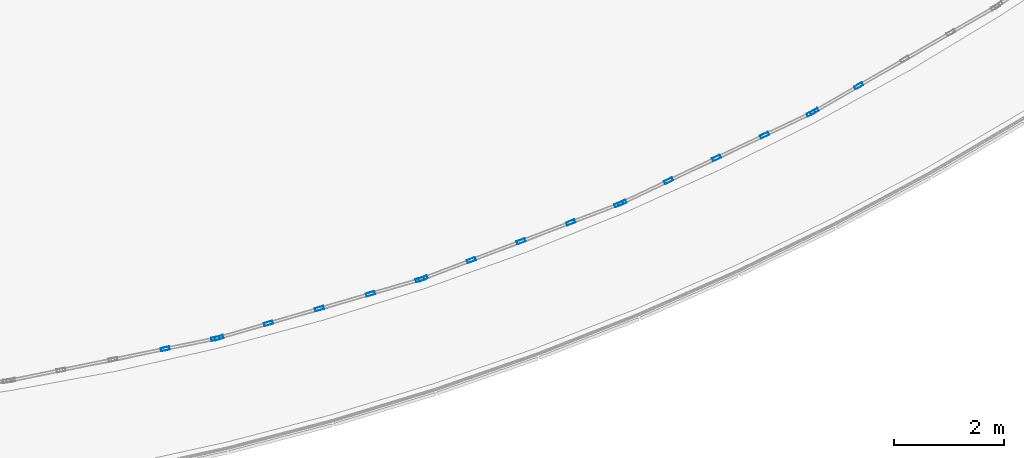
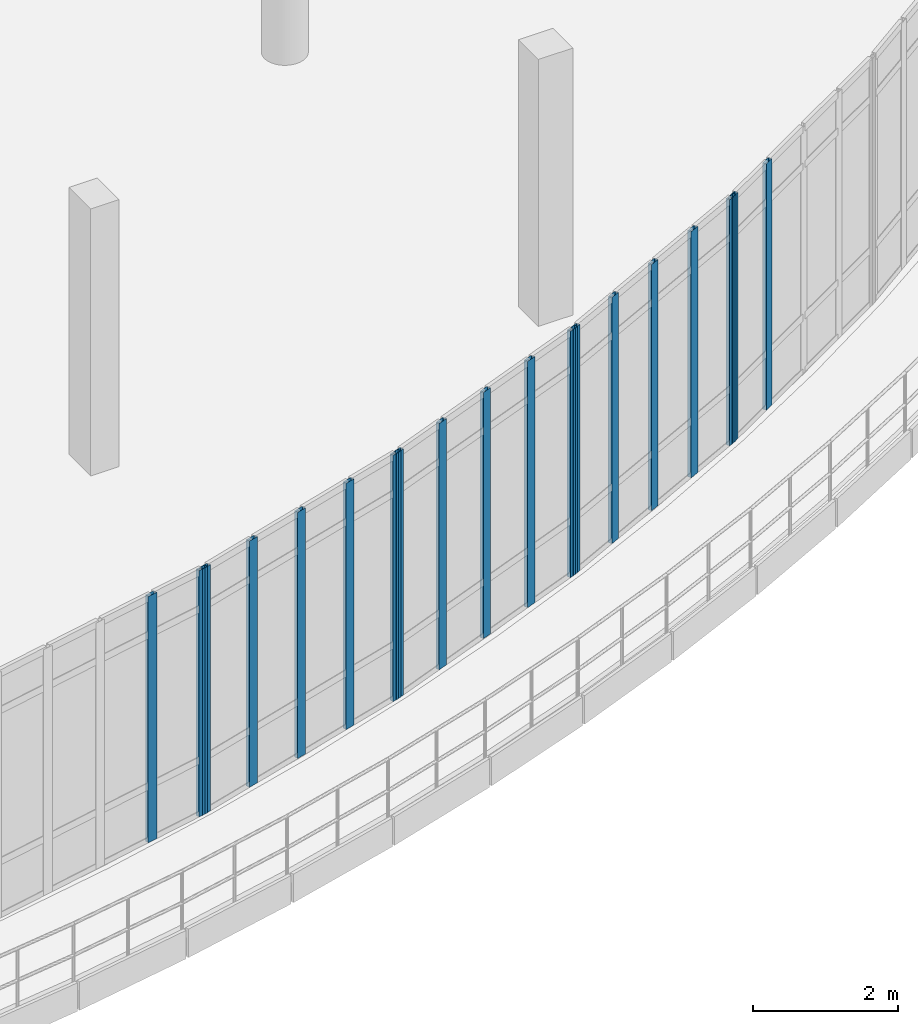
# One storey, part 35 of 124: 19 members, 5 elements without a shape of their own.
"""IFC4 building model written with IfcOpenShell, lengths in metres."""

from ifc_helpers import new_model, si_unit, direction, frame, origin, origin_2d, place, context, subcontext, project, spatial, hollow_rectangle, extrude, material, material_profile, profile_set, type_object, element, aggregate, save


model = new_model("IFC4")

# Units and contexts
model_context = context("Model", 3, precision=1e-05, world=origin(), true_north=direction((0.0, 1.0)))
body_context = subcontext(model_context, "Body", "Model", "MODEL_VIEW")
ifc_project = project(units=[si_unit("LENGTHUNIT", "METRE"), si_unit("AREAUNIT", "SQUARE_METRE"), si_unit("VOLUMEUNIT", "CUBIC_METRE"), si_unit("PLANEANGLEUNIT", "RADIAN"), si_unit("MASSUNIT", "GRAM", prefix="KILO")], contexts=[model_context])

# Site, building, storey
site_placement = place(None, origin())
site = spatial("IfcSite", under=ifc_project, at=site_placement, CompositionType="ELEMENT")
building_placement = place(site_placement, origin())
building = spatial("IfcBuilding", under=site, at=building_placement, Name="Kalluvel Institute of Natural Sciences", CompositionType="ELEMENT")
storey_placement = place(building_placement, frame((0.0, 0.0, 9.89990234375)))
storey = spatial("IfcBuildingStorey", under=building, at=storey_placement, Name="L02", CompositionType="ELEMENT", Elevation=9.89990234375)

# Curtain wall, members
ifc_material = material(Name="Aluminium AW-6063 T6", Category="aluminium")
curtain_wall_type = type_object("IfcCurtainWallType", Name="CW-ATR-ARC", PredefinedType="USERDEFINED", material=ifc_material)
curtain_wall_1_placement = place(storey_placement, origin())
curtain_wall_1 = element("IfcCurtainWall", 1, at=curtain_wall_1_placement, inside=storey, type_object=curtain_wall_type, Name="L02 Gothic lancet curtain wall CWA-L02-X433-Y555", ObjectType="UNITISED LANCET FACADE", PredefinedType="USERDEFINED")
ifc_material_profile = material_profile(ifc_material, hollow_rectangle(XDim=0.06005859375, YDim=0.159912109375, WallThickness=0.00390625, at=origin_2d()), Name="CWM 60x160")
ifc_profile_set = profile_set([ifc_material_profile], Name="Aluminium AW-6063 T6")
member_type = type_object("IfcMemberType", Name="CWM-60x160", PredefinedType="MULLION", material=ifc_profile_set)
member_1_placement = place(storey_placement, frame((46.118408203125, 56.09912109375, 0.0), z_axis=(0.0, 0.0, 1.0), x_axis=(-0.200028070576, 0.979790166812, 0.0)))
member_1 = element("IfcMember", 2, at=member_1_placement, type_object=member_type, Name="CW-05 mullion 4", PredefinedType="MULLION", context=body_context, shape_type="SweptSolid", body=[
    extrude(hollow_rectangle(XDim=0.06005859375, YDim=0.159912109375, WallThickness=0.00390625, at=origin_2d()), origin(), (0.0, 0.0, 1.0), 4.150146484375),
])
member_2_placement = place(storey_placement, frame((47.03369140625, 56.285888671875, 0.0), z_axis=(0.0, 0.0, 1.0), x_axis=(-0.200028070576, 0.979790166812, 0.0)))
member_2 = element("IfcMember", 3, at=member_2_placement, type_object=member_type, Name="CW-05 mullion 5", PredefinedType="MULLION", context=body_context, shape_type="SweptSolid", body=[
    extrude(hollow_rectangle(XDim=0.06005859375, YDim=0.159912109375, WallThickness=0.00390625, at=origin_2d()), origin(), (0.0, 0.0, 1.0), 4.150146484375),
])
aggregate(curtain_wall_1, [member_1, member_2])

curtain_wall_2_placement = place(storey_placement, origin())
curtain_wall_2 = element("IfcCurtainWall", 4, at=curtain_wall_2_placement, inside=storey, type_object=curtain_wall_type, Name="L02 Gothic lancet curtain wall CWA-L02-X471-Y563", ObjectType="UNITISED LANCET FACADE", PredefinedType="USERDEFINED")
member_3_placement = place(storey_placement, frame((47.092041015625, 56.30029296875, 0.0), z_axis=(0.0, 0.0, 1.0), x_axis=(-0.278211659728, 0.960519792816, 0.0)))
member_3 = element("IfcMember", 5, at=member_3_placement, type_object=member_type, Name="CW-05 mullion 1", PredefinedType="MULLION", context=body_context, shape_type="SweptSolid", body=[
    extrude(hollow_rectangle(XDim=0.06005859375, YDim=0.159912109375, WallThickness=0.00390625, at=origin_2d()), origin(), (0.0, 0.0, 1.0), 4.150146484375),
])
member_4_placement = place(storey_placement, frame((47.989501953125, 56.560302734375, 0.0), z_axis=(0.0, 0.0, 1.0), x_axis=(-0.278211659728, 0.960519792816, 0.0)))
member_4 = element("IfcMember", 6, at=member_4_placement, type_object=member_type, Name="CW-05 mullion 2", PredefinedType="MULLION", context=body_context, shape_type="SweptSolid", body=[
    extrude(hollow_rectangle(XDim=0.06005859375, YDim=0.159912109375, WallThickness=0.00390625, at=origin_2d()), origin(), (0.0, 0.0, 1.0), 4.150146484375),
])
member_5_placement = place(storey_placement, frame((48.915771484375, 56.82861328125, 0.0), z_axis=(0.0, 0.0, 1.0), x_axis=(-0.278211659728, 0.960519792816, 0.0)))
member_5 = element("IfcMember", 7, at=member_5_placement, type_object=member_type, Name="CW-05 mullion 3", PredefinedType="MULLION", context=body_context, shape_type="SweptSolid", body=[
    extrude(hollow_rectangle(XDim=0.06005859375, YDim=0.159912109375, WallThickness=0.00390625, at=origin_2d()), origin(), (0.0, 0.0, 1.0), 4.150146484375),
])
member_6_placement = place(storey_placement, frame((49.842041015625, 57.0966796875, 0.0), z_axis=(0.0, 0.0, 1.0), x_axis=(-0.278211659728, 0.960519792816, 0.0)))
member_6 = element("IfcMember", 8, at=member_6_placement, type_object=member_type, Name="CW-05 mullion 4", PredefinedType="MULLION", context=body_context, shape_type="SweptSolid", body=[
    extrude(hollow_rectangle(XDim=0.06005859375, YDim=0.159912109375, WallThickness=0.00390625, at=origin_2d()), origin(), (0.0, 0.0, 1.0), 4.150146484375),
])
member_7_placement = place(storey_placement, frame((50.739501953125, 57.356689453125, 0.0), z_axis=(0.0, 0.0, 1.0), x_axis=(-0.278211659728, 0.960519792816, 0.0)))
member_7 = element("IfcMember", 9, at=member_7_placement, type_object=member_type, Name="CW-05 mullion 5", PredefinedType="MULLION", context=body_context, shape_type="SweptSolid", body=[
    extrude(hollow_rectangle(XDim=0.06005859375, YDim=0.159912109375, WallThickness=0.00390625, at=origin_2d()), origin(), (0.0, 0.0, 1.0), 4.150146484375),
])
aggregate(curtain_wall_2, [member_3, member_4, member_5, member_6, member_7])

curtain_wall_3_placement = place(storey_placement, origin())
curtain_wall_3 = element("IfcCurtainWall", 10, at=curtain_wall_3_placement, inside=storey, type_object=curtain_wall_type, Name="L02 Gothic lancet curtain wall CWA-L02-X508-Y574", ObjectType="UNITISED LANCET FACADE", PredefinedType="USERDEFINED")
member_8_placement = place(storey_placement, frame((50.79638671875, 57.375732421875, 0.0), z_axis=(0.0, 0.0, 1.0), x_axis=(-0.354609689227, 0.935014421443, 0.0)))
member_8 = element("IfcMember", 11, at=member_8_placement, type_object=member_type, Name="CW-05 mullion 1", PredefinedType="MULLION", context=body_context, shape_type="SweptSolid", body=[
    extrude(hollow_rectangle(XDim=0.06005859375, YDim=0.159912109375, WallThickness=0.00390625, at=origin_2d()), origin(), (0.0, 0.0, 1.0), 4.150146484375),
])
member_9_placement = place(storey_placement, frame((51.670166015625, 57.70703125, 0.0), z_axis=(0.0, 0.0, 1.0), x_axis=(-0.354609689227, 0.935014421443, 0.0)))
member_9 = element("IfcMember", 12, at=member_9_placement, type_object=member_type, Name="CW-05 mullion 2", PredefinedType="MULLION", context=body_context, shape_type="SweptSolid", body=[
    extrude(hollow_rectangle(XDim=0.06005859375, YDim=0.159912109375, WallThickness=0.00390625, at=origin_2d()), origin(), (0.0, 0.0, 1.0), 4.150146484375),
])
member_10_placement = place(storey_placement, frame((52.57177734375, 58.049072265625, 0.0), z_axis=(0.0, 0.0, 1.0), x_axis=(-0.354609689227, 0.935014421443, 0.0)))
member_10 = element("IfcMember", 13, at=member_10_placement, type_object=member_type, Name="CW-05 mullion 3", PredefinedType="MULLION", context=body_context, shape_type="SweptSolid", body=[
    extrude(hollow_rectangle(XDim=0.06005859375, YDim=0.159912109375, WallThickness=0.00390625, at=origin_2d()), origin(), (0.0, 0.0, 1.0), 4.150146484375),
])
member_11_placement = place(storey_placement, frame((53.473388671875, 58.39111328125, 0.0), z_axis=(0.0, 0.0, 1.0), x_axis=(-0.354609689227, 0.935014421443, 0.0)))
member_11 = element("IfcMember", 14, at=member_11_placement, type_object=member_type, Name="CW-05 mullion 4", PredefinedType="MULLION", context=body_context, shape_type="SweptSolid", body=[
    extrude(hollow_rectangle(XDim=0.06005859375, YDim=0.159912109375, WallThickness=0.00390625, at=origin_2d()), origin(), (0.0, 0.0, 1.0), 4.150146484375),
])
member_12_placement = place(storey_placement, frame((54.34716796875, 58.722412109375, 0.0), z_axis=(0.0, 0.0, 1.0), x_axis=(-0.354609689227, 0.935014421443, 0.0)))
member_12 = element("IfcMember", 15, at=member_12_placement, type_object=member_type, Name="CW-05 mullion 5", PredefinedType="MULLION", context=body_context, shape_type="SweptSolid", body=[
    extrude(hollow_rectangle(XDim=0.06005859375, YDim=0.159912109375, WallThickness=0.00390625, at=origin_2d()), origin(), (0.0, 0.0, 1.0), 4.150146484375),
])
aggregate(curtain_wall_3, [member_8, member_9, member_10, member_11, member_12])

curtain_wall_4_placement = place(storey_placement, origin())
curtain_wall_4 = element("IfcCurtainWall", 16, at=curtain_wall_4_placement, inside=storey, type_object=curtain_wall_type, Name="L02 Gothic lancet curtain wall CWA-L02-X544-Y587", ObjectType="UNITISED LANCET FACADE", PredefinedType="USERDEFINED")
member_13_placement = place(storey_placement, frame((54.40234375, 58.745849609375, 0.0), z_axis=(0.0, 0.0, 1.0), x_axis=(-0.428702493526, 0.903445721692, 0.0)))
member_13 = element("IfcMember", 17, at=member_13_placement, type_object=member_type, Name="CW-05 mullion 1", PredefinedType="MULLION", context=body_context, shape_type="SweptSolid", body=[
    extrude(hollow_rectangle(XDim=0.06005859375, YDim=0.159912109375, WallThickness=0.00390625, at=origin_2d()), origin(), (0.0, 0.0, 1.0), 4.150146484375),
])
member_14_placement = place(storey_placement, frame((55.246337890625, 59.146484375, 0.0), z_axis=(0.0, 0.0, 1.0), x_axis=(-0.428702493526, 0.903445721692, 0.0)))
member_14 = element("IfcMember", 18, at=member_14_placement, type_object=member_type, Name="CW-05 mullion 2", PredefinedType="MULLION", context=body_context, shape_type="SweptSolid", body=[
    extrude(hollow_rectangle(XDim=0.06005859375, YDim=0.159912109375, WallThickness=0.00390625, at=origin_2d()), origin(), (0.0, 0.0, 1.0), 4.150146484375),
])
member_15_placement = place(storey_placement, frame((56.11767578125, 59.559814453125, 0.0), z_axis=(0.0, 0.0, 1.0), x_axis=(-0.428702493526, 0.903445721692, 0.0)))
member_15 = element("IfcMember", 19, at=member_15_placement, type_object=member_type, Name="CW-05 mullion 3", PredefinedType="MULLION", context=body_context, shape_type="SweptSolid", body=[
    extrude(hollow_rectangle(XDim=0.06005859375, YDim=0.159912109375, WallThickness=0.00390625, at=origin_2d()), origin(), (0.0, 0.0, 1.0), 4.150146484375),
])
member_16_placement = place(storey_placement, frame((56.989013671875, 59.973388671875, 0.0), z_axis=(0.0, 0.0, 1.0), x_axis=(-0.428702493526, 0.903445721692, 0.0)))
member_16 = element("IfcMember", 20, at=member_16_placement, type_object=member_type, Name="CW-05 mullion 4", PredefinedType="MULLION", context=body_context, shape_type="SweptSolid", body=[
    extrude(hollow_rectangle(XDim=0.06005859375, YDim=0.159912109375, WallThickness=0.00390625, at=origin_2d()), origin(), (0.0, 0.0, 1.0), 4.150146484375),
])
member_17_placement = place(storey_placement, frame((57.8330078125, 60.373779296875, 0.0), z_axis=(0.0, 0.0, 1.0), x_axis=(-0.428702493526, 0.903445721692, 0.0)))
member_17 = element("IfcMember", 21, at=member_17_placement, type_object=member_type, Name="CW-05 mullion 5", PredefinedType="MULLION", context=body_context, shape_type="SweptSolid", body=[
    extrude(hollow_rectangle(XDim=0.06005859375, YDim=0.159912109375, WallThickness=0.00390625, at=origin_2d()), origin(), (0.0, 0.0, 1.0), 4.150146484375),
])
aggregate(curtain_wall_4, [member_13, member_14, member_15, member_16, member_17])

curtain_wall_5_placement = place(storey_placement, origin())
curtain_wall_5 = element("IfcCurtainWall", 22, at=curtain_wall_5_placement, inside=storey, type_object=curtain_wall_type, Name="L02 Gothic lancet curtain wall CWA-L02-X579-Y604", ObjectType="UNITISED LANCET FACADE", PredefinedType="USERDEFINED")
member_18_placement = place(storey_placement, frame((57.88623046875, 60.401611328125, 0.0), z_axis=(0.0, 0.0, 1.0), x_axis=(-0.499989492276, 0.866031470337, 0.0)))
member_18 = element("IfcMember", 23, at=member_18_placement, type_object=member_type, Name="CW-05 mullion 1", PredefinedType="MULLION", context=body_context, shape_type="SweptSolid", body=[
    extrude(hollow_rectangle(XDim=0.06005859375, YDim=0.159912109375, WallThickness=0.00390625, at=origin_2d()), origin(), (0.0, 0.0, 1.0), 4.150146484375),
])
member_19_placement = place(storey_placement, frame((58.6953125, 60.868896484375, 0.0), z_axis=(0.0, 0.0, 1.0), x_axis=(-0.499989492276, 0.866031470337, 0.0)))
member_19 = element("IfcMember", 24, at=member_19_placement, type_object=member_type, Name="CW-05 mullion 2", PredefinedType="MULLION", context=body_context, shape_type="SweptSolid", body=[
    extrude(hollow_rectangle(XDim=0.06005859375, YDim=0.159912109375, WallThickness=0.00390625, at=origin_2d()), origin(), (0.0, 0.0, 1.0), 4.150146484375),
])
aggregate(curtain_wall_5, [member_18, member_19])

save(model, "model.ifc")
